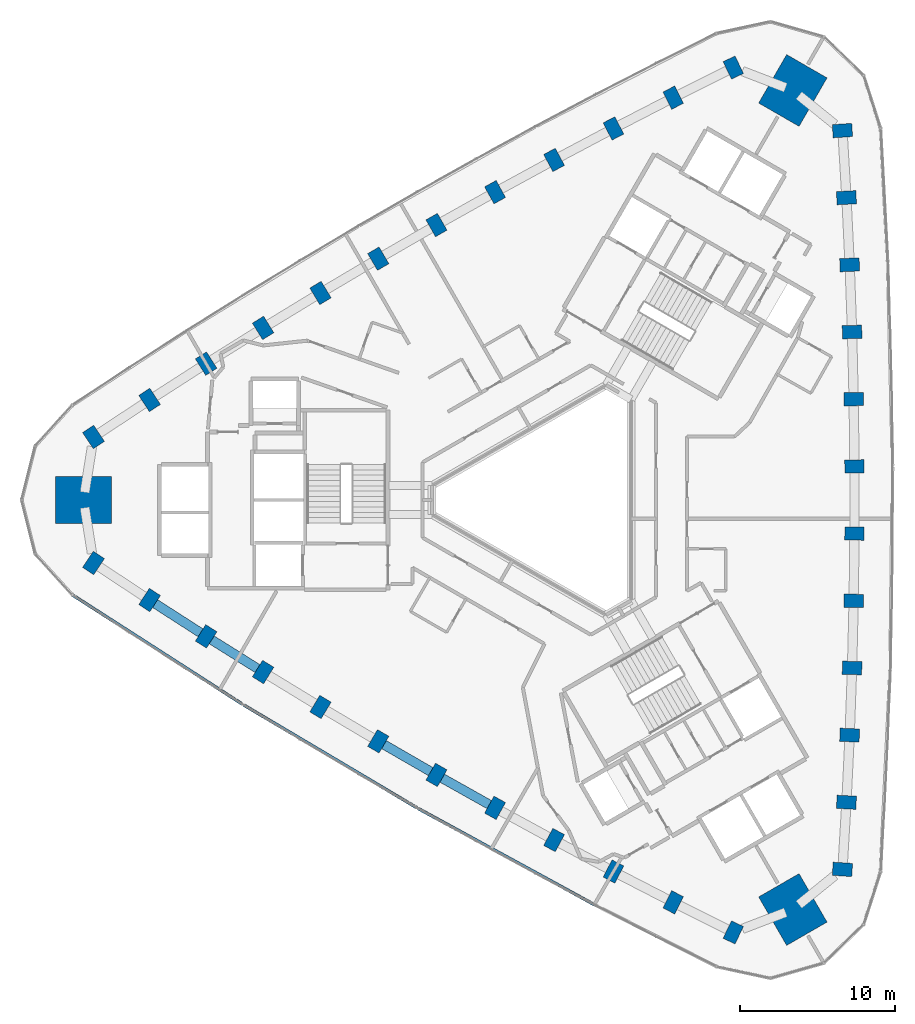
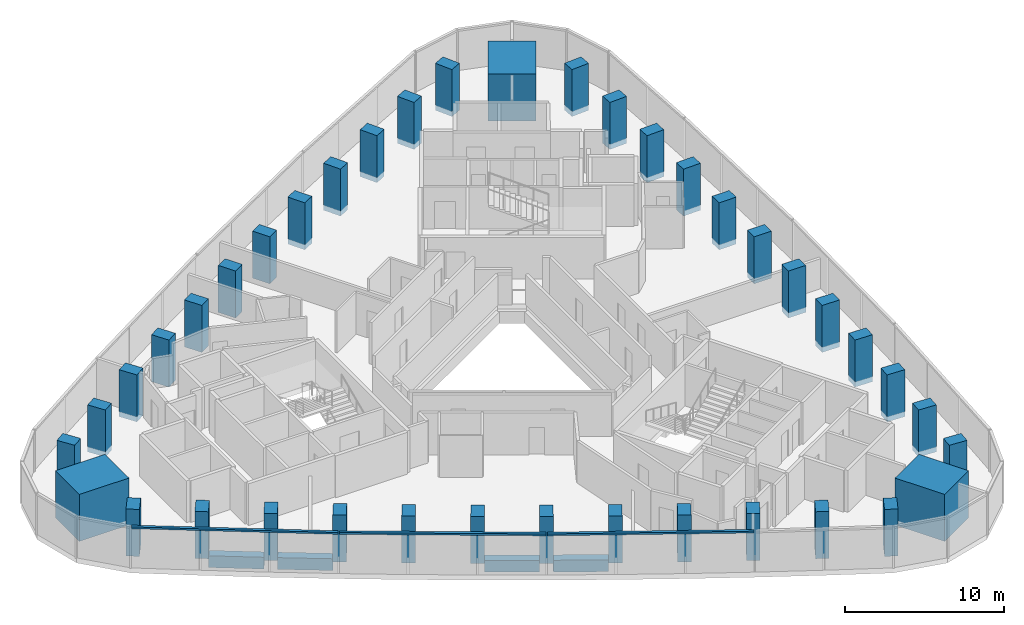
# One storey, part 1 of 12: 39 columns, 4 beams, 3 members, 1 element without a shape of its own.
"""IFC4 building model written with IfcOpenShell, lengths in metres."""

from ifc_helpers import new_model, si_unit, direction, frame, origin, origin_2d, place, context, subcontext, project, spatial, rectangle, extrude, material, material_profile, profile_set, type_object, element, aggregate, save


model = new_model("IFC4")

# Units and contexts
model_context = context("Model", 3, precision=1e-05, world=origin(), true_north=direction((0.0, 1.0)))
body_context = subcontext(model_context, "Body", "Model", "MODEL_VIEW")
ifc_project = project(units=[si_unit("LENGTHUNIT", "METRE"), si_unit("AREAUNIT", "SQUARE_METRE"), si_unit("VOLUMEUNIT", "CUBIC_METRE"), si_unit("PLANEANGLEUNIT", "RADIAN"), si_unit("MASSUNIT", "GRAM", prefix="KILO")], contexts=[model_context])

# Site, building, storey
site_placement = place(None, origin())
site = spatial("IfcSite", under=ifc_project, at=site_placement, CompositionType="ELEMENT")
building_placement = place(site_placement, origin())
building = spatial("IfcBuilding", under=site, at=building_placement, Name="Tamra Quay Hotel Tower", CompositionType="ELEMENT")
storey_placement = place(building_placement, frame((0.0, 0.0, 154.0)))
storey = spatial("IfcBuildingStorey", under=building, at=storey_placement, Name="L38", CompositionType="ELEMENT", Elevation=154.0)

# Columns
ifc_material_1 = material(Name="Concrete M70", Category="concrete")
ifc_material_profile_1 = material_profile(ifc_material_1, rectangle(XDim=1.25, YDim=0.85009765625, at=origin_2d()), Name="COLUMN RC 850x1250 Z3")
ifc_profile_set_1 = profile_set([ifc_material_profile_1], Name="Concrete M70")
column_type_1 = type_object("IfcColumnType", Name="COLUMN RC 850x1250 Z3", PredefinedType="COLUMN", material=ifc_profile_set_1)
for number, where, z_axis, x_axis, name in (
    (1, (18.396728515625, -23.757080078125, -0.39990234375), (0.0, 0.0, 1.0), (-0.997857895766, 0.065418803553, 0.0), "COL-C3E01-L38"),
    (2, (18.654541015625, -19.4423828125, -0.39990234375), (0.0, 0.0, 1.0), (-0.998562324173, 0.053603029218, 0.0), "COL-C3E02-L38"),
    (3, (18.86083984375, -15.124267578125, -0.39990234375), (0.0, 0.0, 1.0), (-0.999109109653, 0.042201741775, 0.0), "COL-C3E03-L38"),
    (4, (19.015869140625, -10.8046875, -0.39990234375), (0.0, 0.0, 1.0), (-0.99955268585, 0.029906992649, 0.0), "COL-C3E04-L38"),
    (5, (19.119140625, -6.483642578125, -0.39990234375), (0.0, 0.0, 1.0), (-0.999845156469, 0.017597246518, 0.0), "COL-C3E05-L38"),
    (6, (19.1708984375, -2.1611328125, -0.39990234375), (0.0, 0.0, 1.0), (-0.999981031775, 0.006159227987, 0.0), "COL-C3E06-L38"),
    (7, (19.1708984375, 2.1611328125, -0.39990234375), (0.0, 0.0, 1.0), (0.999981031775, 0.006159227987, 0.0), "COL-C3E07-L38"),
    (8, (19.119140625, 6.483642578125, -0.39990234375), (0.0, 0.0, 1.0), (0.999845156469, 0.017597246518, 0.0), "COL-C3E08-L38"),
    (9, (19.015869140625, 10.8046875, -0.39990234375), (0.0, 0.0, 1.0), (0.99955268585, 0.029906992649, 0.0), "COL-C3E09-L38"),
    (10, (18.86083984375, 15.124267578125, -0.39990234375), (0.0, 0.0, 1.0), (0.999109109653, 0.042201741775, 0.0), "COL-C3E10-L38"),
    (11, (18.654541015625, 19.4423828125, -0.39990234375), (0.0, 0.0, 1.0), (0.998562324173, 0.053603029218, 0.0), "COL-C3E11-L38"),
    (12, (18.396728515625, 23.757080078125, -0.39990234375), (0.0, 0.0, 1.0), (0.997857895766, 0.065418803553, 0.0), "COL-C3E12-L38"),
    (13, (11.3759765625, 27.810546875, -0.39990234375), (0.0, 0.0, 1.0), (-0.44227460212, 0.896879688877, 0.0), "COL-C3NW01-L38"),
    (14, (7.51025390625, 25.87646484375, -0.39990234375), (0.0, 0.0, 1.0), (-0.452859577064, 0.891581854605, 0.0), "COL-C3NW02-L38"),
    (15, (3.66748046875, 23.896240234375, -0.39990234375), (0.0, 0.0, 1.0), (-0.463006774365, 0.886354740999, 0.0), "COL-C3NW03-L38"),
    (16, (-0.150634765625, 21.87060546875, -0.39990234375), (0.0, 0.0, 1.0), (-0.47387612754, 0.880591514692, 0.0), "COL-C3NW04-L38"),
    (17, (-3.944580078125, 19.799560546875, -0.39990234375), (0.0, 0.0, 1.0), (-0.484682915713, 0.874689928612, 0.0), "COL-C3NW05-L38"),
    (18, (-7.7138671875, 17.68310546875, -0.39990234375), (0.0, 0.0, 1.0), (-0.494656467983, 0.869088590813, 0.0), "COL-C3NW06-L38"),
    (19, (-11.45703125, 15.521728515625, -0.39990234375), (0.0, 0.0, 1.0), (-0.505324563792, 0.862929362827, 0.0), "COL-C3NW07-L38"),
    (20, (-15.174560546875, 13.31591796875, -0.39990234375), (0.0, 0.0, 1.0), (-0.515162240756, 0.857092682094, 0.0), "COL-C3NW08-L38"),
    (21, (-18.864990234375, 11.06591796875, -0.39990234375), (0.0, 0.0, 1.0), (-0.52567655831, 0.850684522043, 0.0), "COL-C3NW09-L38"),
    (22, (-22.528564453125, 8.771728515625, -0.39990234375), (0.0, 0.0, 1.0), (-0.536102335288, 0.844152999224, 0.0), "COL-C3NW10-L38"),
    (23, (-26.164794921875, 6.43408203125, -0.39990234375), (0.0, 0.0, 1.0), (-0.545702747109, 0.837978825387, 0.0), "COL-C3NW11-L38"),
    (24, (-29.772705078125, 4.053466796875, -0.39990234375), (0.0, 0.0, 1.0), (-0.555583293645, 0.831460885323, 0.0), "COL-C3NW12-L38"),
    (25, (-29.772705078125, -4.053466796875, -0.39990234375), (0.0, 0.0, 1.0), (0.555583293645, 0.831460885323, 0.0), "COL-C3SW01-L38"),
    (26, (-26.164794921875, -6.43408203125, -0.39990234375), (0.0, 0.0, 1.0), (0.545702747109, 0.837978825387, 0.0), "COL-C3SW02-L38"),
    (27, (-22.528564453125, -8.771728515625, -0.39990234375), (0.0, 0.0, 1.0), (0.536102335288, 0.844152999224, 0.0), "COL-C3SW03-L38"),
    (28, (-18.864990234375, -11.06591796875, -0.39990234375), (0.0, 0.0, 1.0), (0.52567655831, 0.850684522043, 0.0), "COL-C3SW04-L38"),
    (29, (-15.174560546875, -13.31591796875, -0.39990234375), (0.0, 0.0, 1.0), (0.515162240756, 0.857092682094, 0.0), "COL-C3SW05-L38"),
    (30, (-11.45703125, -15.521728515625, -0.39990234375), (0.0, 0.0, 1.0), (0.505324563792, 0.862929362827, 0.0), "COL-C3SW06-L38"),
    (31, (-7.7138671875, -17.68310546875, -0.39990234375), (0.0, 0.0, 1.0), (0.494656467983, 0.869088590813, 0.0), "COL-C3SW07-L38"),
    (32, (-3.944580078125, -19.799560546875, -0.39990234375), (0.0, 0.0, 1.0), (0.484682915713, 0.874689928612, 0.0), "COL-C3SW08-L38"),
    (33, (-0.150634765625, -21.87060546875, -0.39990234375), (0.0, 0.0, 1.0), (0.47387612754, 0.880591514692, 0.0), "COL-C3SW09-L38"),
    (34, (3.66748046875, -23.896240234375, -0.39990234375), (0.0, 0.0, 1.0), (0.463006774365, 0.886354740999, 0.0), "COL-C3SW10-L38"),
    (35, (7.51025390625, -25.87646484375, -0.39990234375), (0.0, 0.0, 1.0), (0.452859577064, 0.891581854605, 0.0), "COL-C3SW11-L38"),
    (36, (11.3759765625, -27.810546875, -0.39990234375), (0.0, 0.0, 1.0), (0.44227460212, 0.896879688877, 0.0), "COL-C3SW12-L38"),
):
    element("IfcColumn", number, at=place(storey_placement, frame(where, z_axis=z_axis, x_axis=x_axis)), inside=storey, type_object=column_type_1, Name=name, PredefinedType="COLUMN", context=body_context, shape_type="SweptSolid", body=[
        extrude(rectangle(XDim=1.25, YDim=0.85009765625, at=origin_2d()), origin(), (0.0, 0.0, 1.0), 3.599853515625),
    ])
ifc_material_profile_2 = material_profile(ifc_material_1, rectangle(XDim=3.60009765625, YDim=3.0, at=origin_2d()), Name="MEGA COLUMN RC 3000x3600 Z3")
ifc_profile_set_2 = profile_set([ifc_material_profile_2], Name="Concrete M70")
column_type_2 = type_object("IfcColumnType", Name="MEGA COLUMN RC 3000x3600 Z3", PredefinedType="COLUMN", material=ifc_profile_set_2)
for number, where, z_axis, x_axis, name in (
    (37, (15.20703125, 26.339599609375, -0.39990234375), (0.0, 0.0, 1.0), (0.5, 0.866025403784, 0.0), "COL-M3NE-L38"),
    (38, (-30.414306640625, 0.0, -0.39990234375), (0.0, 0.0, 1.0), (1.0, 0.0, 0.0), "COL-M3W-L38"),
    (39, (15.20703125, -26.339599609375, -0.39990234375), (0.0, 0.0, 1.0), (-0.5, 0.866025403784, 0.0), "COL-M3SE-L38"),
):
    element("IfcColumn", number, at=place(storey_placement, frame(where, z_axis=z_axis, x_axis=x_axis)), inside=storey, type_object=column_type_2, Name=name, PredefinedType="COLUMN", context=body_context, shape_type="SweptSolid", body=[
        extrude(rectangle(XDim=3.60009765625, YDim=3.0, at=origin_2d()), origin(), (0.0, 0.0, 1.0), 3.599853515625),
    ])

# Beams
ifc_material_2 = material(Name="Concrete M60", Category="concrete")
ifc_material_profile_3 = material_profile(ifc_material_2, rectangle(XDim=0.60009765625, YDim=0.89990234375, at=origin_2d()), Name="SPANDREL BEAM RC 600x900")
ifc_profile_set_3 = profile_set([ifc_material_profile_3], Name="Concrete M60")
beam_type = type_object("IfcBeamType", Name="SPANDREL BEAM RC 600x900", PredefinedType="SPANDREL", material=ifc_profile_set_3)
beam_1_placement = place(storey_placement, frame((-25.807373046875, -6.663818359375, -0.85009765625), z_axis=(0.84116020305, -0.540786013878, 0.0), x_axis=(0.540786013878, 0.84116020305, 0.0)))
element("IfcBeam", 40, at=beam_1_placement, inside=storey, type_object=beam_type, Name="BM-SP3-027-L38", PredefinedType="SPANDREL", context=body_context, shape_type="SweptSolid", body=[
    extrude(rectangle(XDim=0.60009765625, YDim=0.89990234375, at=origin_2d()), origin(), (0.0, 0.0, 1.0), 3.47314453125),
])
for number, where, z_axis, x_axis, name in (
    (41, (-22.168212890625, -8.997314453125, -0.85009765625), (0.847547681474, -0.530719255, 0.0), (0.530719255, 0.847547681474, 0.0), "BM-SP3-028-L38"),
    (42, (-11.0888671875, -15.734375, -0.85009765625), (0.866032201241, -0.499988226275, 0.0), (0.499988226275, 0.866032201241, 0.0), "BM-SP3-031-L38"),
):
    element("IfcBeam", number, at=place(storey_placement, frame(where, z_axis=z_axis, x_axis=x_axis)), inside=storey, type_object=beam_type, Name=name, PredefinedType="SPANDREL", context=body_context, shape_type="SweptSolid", body=[
        extrude(rectangle(XDim=0.60009765625, YDim=0.89990234375, at=origin_2d()), origin(), (0.0, 0.0, 1.0), 3.47216796875),
    ])
beam_2_placement = place(storey_placement, frame((-7.34326171875, -17.89111328125, -0.85009765625), z_axis=(0.871956406858, -0.489583521516, 0.0), x_axis=(0.489583521516, 0.871956406858, 0.0)))
element("IfcBeam", 43, at=beam_2_placement, inside=storey, type_object=beam_type, Name="BM-SP3-032-L38", PredefinedType="SPANDREL", context=body_context, shape_type="SweptSolid", body=[
    extrude(rectangle(XDim=0.60009765625, YDim=0.89990234375, at=origin_2d()), origin(), (0.0, 0.0, 1.0), 3.47265625),
])

# Curtain wall, members
ifc_material_3 = material(Name="Aluminium 6063 anodised dark grey", Category="aluminium")
curtain_wall_type = type_object("IfcCurtainWallType", Name="CW3 CURTAIN WALL", PredefinedType="NOTDEFINED", material=ifc_material_3)
curtain_wall_placement = place(storey_placement, origin())
curtain_wall = element("IfcCurtainWall", 44, at=curtain_wall_placement, inside=storey, type_object=curtain_wall_type, Name="CW3 south-west face L38", PredefinedType="NOTDEFINED")
ifc_material_profile_4 = material_profile(ifc_material_3, rectangle(XDim=0.199951171875, YDim=0.139892578125, at=origin_2d()), Name="TRANSOM 200X140")
ifc_profile_set_4 = profile_set([ifc_material_profile_4], Name="Aluminium 6063 anodised dark grey")
member_type = type_object("IfcMemberType", Name="TRANSOM CW3 Z3", PredefinedType="USERDEFINED", material=ifc_profile_set_4)
member_1_placement = place(storey_placement, frame((-31.09814453125, -6.126953125, 3.1298828125), z_axis=(0.841163779418, -0.54078045101, 0.0), x_axis=(0.54078045101, 0.841163779418, 0.0)))
member_1 = element("IfcMember", 45, at=member_1_placement, type_object=member_type, Name="CW3 transom L38.SW.1", ObjectType="TRANSOM", PredefinedType="USERDEFINED", context=body_context, shape_type="SweptSolid", body=[
    extrude(rectangle(XDim=0.199951171875, YDim=0.139892578125, at=origin_2d()), origin(), (0.0, 0.0, 1.0), 12.95458984375),
])
member_2_placement = place(storey_placement, frame((-20.115966796875, -13.18505859375, 3.1298828125), z_axis=(0.859981906486, -0.510324524707, 0.0), x_axis=(0.510324524707, 0.859981906486, 0.0)))
member_2 = element("IfcMember", 46, at=member_2_placement, type_object=member_type, Name="CW3 transom L38.SW.4", ObjectType="TRANSOM", PredefinedType="USERDEFINED", context=body_context, shape_type="SweptSolid", body=[
    extrude(rectangle(XDim=0.199951171875, YDim=0.139892578125, at=origin_2d()), origin(), (0.0, 0.0, 1.0), 12.95556640625),
])
member_3_placement = place(storey_placement, frame((-8.887451171875, -19.84619140625, 3.1298828125), z_axis=(0.877730603068, -0.479154451548, 0.0), x_axis=(0.479154451548, 0.877730603068, 0.0)))
member_3 = element("IfcMember", 47, at=member_3_placement, type_object=member_type, Name="CW3 transom L38.SW.7", ObjectType="TRANSOM", PredefinedType="USERDEFINED", context=body_context, shape_type="SweptSolid", body=[
    extrude(rectangle(XDim=0.199951171875, YDim=0.139892578125, at=origin_2d()), origin(), (0.0, 0.0, 1.0), 12.95556640625),
])
aggregate(curtain_wall, [member_1, member_2, member_3])

save(model, "model.ifc")
